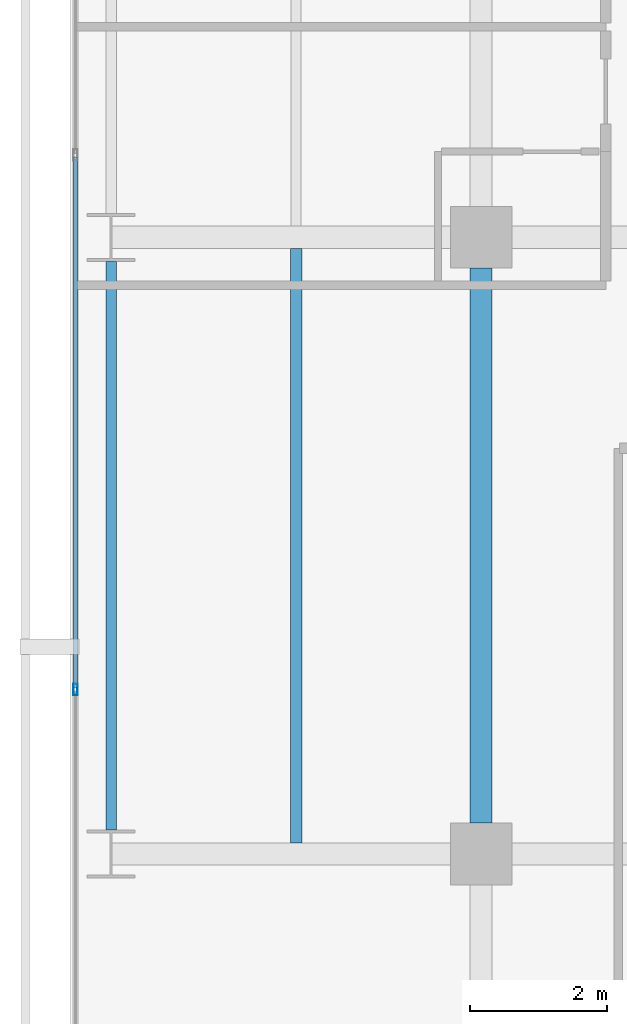
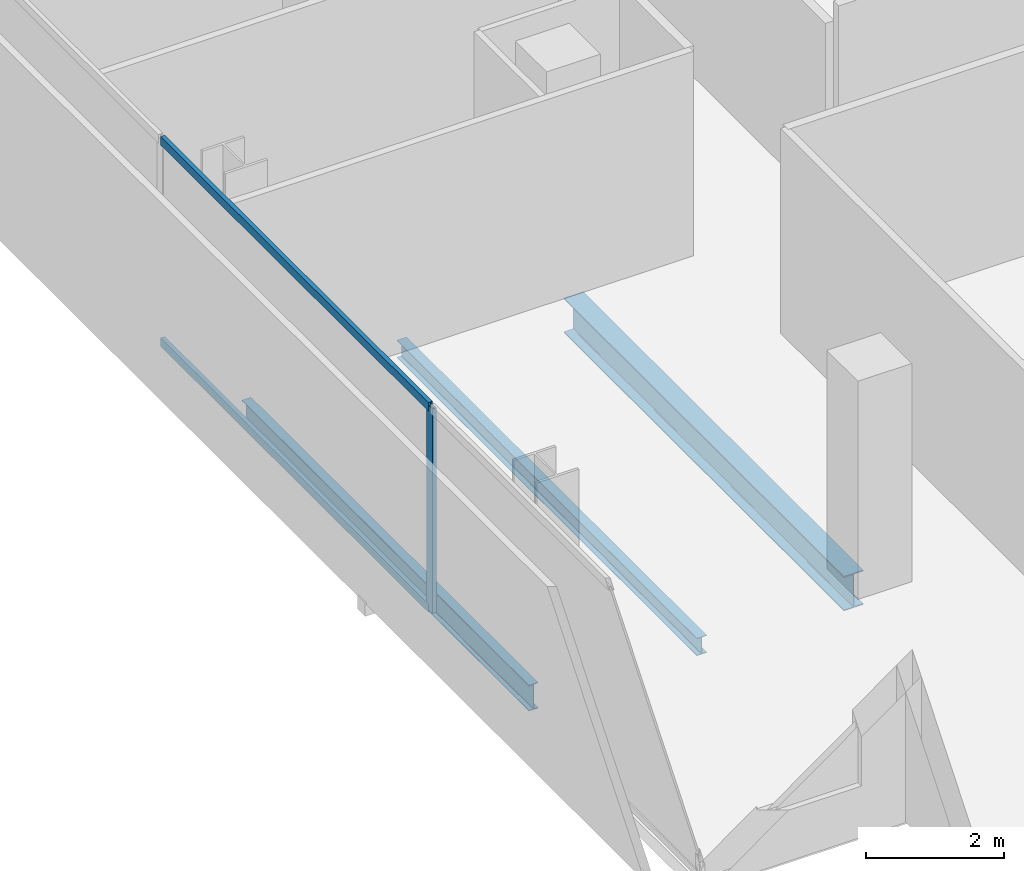
# One storey, part 5 of 40: 3 beams, 3 members, 1 element without a shape of its own.
"""IFC4 building model written with IfcOpenShell, lengths in metres."""

from ifc_helpers import new_model, si_unit, direction, frame, origin, origin_2d, place, context, subcontext, project, spatial, hollow_rectangle, i_section, extrude, material, layer, layer_set, material_profile, profile_set, type_object, element, aggregate, save


model = new_model("IFC4")

# Units and contexts
model_context = context("Model", 3, precision=1e-05, world=origin(), true_north=direction((0.0, 1.0)))
body_context = subcontext(model_context, "Body", "Model", "MODEL_VIEW")
ifc_project = project(units=[si_unit("LENGTHUNIT", "METRE"), si_unit("AREAUNIT", "SQUARE_METRE"), si_unit("VOLUMEUNIT", "CUBIC_METRE"), si_unit("PLANEANGLEUNIT", "RADIAN"), si_unit("MASSUNIT", "GRAM", prefix="KILO")], contexts=[model_context])

# Site, building, storey
site_placement = place(None, origin())
site = spatial("IfcSite", under=ifc_project, at=site_placement, CompositionType="ELEMENT")
building_placement = place(site_placement, origin())
building = spatial("IfcBuilding", under=site, at=building_placement, Name="Maruvema Waterfront Hotel and Observation Tower", CompositionType="ELEMENT")
storey_placement = place(building_placement, frame((0.0, 0.0, 100.10009765625)))
storey = spatial("IfcBuildingStorey", under=building, at=storey_placement, Name="L24", CompositionType="ELEMENT", Elevation=100.10009765625)

# Curtain wall, members
ifc_material_1 = material(Name="Anodised bronze aluminium and solar-control low-E IGU", Category="aluminium")
ifc_layer = layer(ifc_material_1, 0.159912109375, Name="Zone 1 Bronze Inner Thermal Curtain Wall System CW-02")
ifc_layer_set = layer_set([ifc_layer], Name="Anodised bronze aluminium and solar-control low-E IGU")
curtain_wall_type = type_object("IfcCurtainWallType", Name="Zone 1 Bronze Inner Thermal Curtain Wall System CW-02", PredefinedType="USERDEFINED", material=ifc_layer_set)
curtain_wall_placement = place(storey_placement, origin())
curtain_wall = element("IfcCurtainWall", 1, at=curtain_wall_placement, inside=storey, type_object=curtain_wall_type, Name="L24 Curtain Wall CW-L24-W", ObjectType="UNITISED CURTAIN WALL", PredefinedType="USERDEFINED")
ifc_material_2 = material(Name="Anodised architectural bronze aluminium", Category="aluminium")
ifc_material_profile_1 = material_profile(ifc_material_2, hollow_rectangle(XDim=0.070068359375, YDim=0.14990234375, WallThickness=0.00390625, at=origin_2d()), Name="ALU-T70x150")
ifc_profile_set_1 = profile_set([ifc_material_profile_1], Name="Anodised architectural bronze aluminium")
member_type_1 = type_object("IfcMemberType", Name="Curtain Wall Horizontal Transom ALU-T70x150", PredefinedType="USERDEFINED", material=ifc_profile_set_1)
member_1_placement = place(storey_placement, frame((10.8798828125, 19.169921875, 0.02978515625), z_axis=(0.0, -1.0, 0.0), x_axis=(1.0, 0.0, 0.0)))
member_1 = element("IfcMember", 2, at=member_1_placement, type_object=member_type_1, Name="CW-02 transom 5.1", ObjectType="TRANSOM", PredefinedType="USERDEFINED", context=body_context, shape_type="SweptSolid", body=[
    extrude(hollow_rectangle(XDim=0.070068359375, YDim=0.14990234375, WallThickness=0.00390625, at=origin_2d()), origin(), (0.0, 0.0, 1.0), 7.739990234375),
])
member_2_placement = place(storey_placement, frame((10.8798828125, 19.169921875, 3.579833984375), z_axis=(0.0, -1.0, 0.0), x_axis=(1.0, 0.0, 0.0)))
member_2 = element("IfcMember", 3, at=member_2_placement, type_object=member_type_1, Name="CW-02 transom 5.2", ObjectType="TRANSOM", PredefinedType="USERDEFINED", context=body_context, shape_type="SweptSolid", body=[
    extrude(hollow_rectangle(XDim=0.070068359375, YDim=0.14990234375, WallThickness=0.00390625, at=origin_2d()), origin(), (0.0, 0.0, 1.0), 7.739990234375),
])
ifc_material_3 = material(Name="Anodised architectural bronze aluminium", Category="aluminium")
ifc_material_profile_2 = material_profile(ifc_material_3, hollow_rectangle(XDim=0.06494140625, YDim=0.1650390625, WallThickness=0.00390625, at=origin_2d()), Name="ALU-M65x165")
ifc_profile_set_2 = profile_set([ifc_material_profile_2], Name="Anodised architectural bronze aluminium")
member_type_2 = type_object("IfcMemberType", Name="Curtain Wall Primary Mullion ALU-M65x165", PredefinedType="MULLION", material=ifc_profile_set_2)
member_3_placement = place(storey_placement, frame((10.8798828125, 11.39990234375, 0.0), z_axis=(0.0, 0.0, 1.0), x_axis=(1.0, 0.0, 0.0)))
member_3 = element("IfcMember", 4, at=member_3_placement, type_object=member_type_2, Name="CW-02 mullion 6", PredefinedType="MULLION", context=body_context, shape_type="SweptSolid", body=[
    extrude(hollow_rectangle(XDim=0.06494140625, YDim=0.1650390625, WallThickness=0.00390625, at=origin_2d()), origin(), (0.0, 0.0, 1.0), 3.60986328125),
])
aggregate(curtain_wall, [member_3, member_1, member_2])

# Beams
ifc_material_4 = material(Name="Steel ASTM A572 Grade 50", Category="steel")
ifc_material_profile_3 = material_profile(ifc_material_4, i_section(OverallWidth=0.153076171875, OverallDepth=0.455078125, WebThickness=0.008056640625, FlangeThickness=0.01318359375, FilletRadius=0.014892578125, at=origin_2d()), Name="W460x60.0")
ifc_profile_set_3 = profile_set([ifc_material_profile_3], Name="Steel ASTM A572 Grade 50")
beam_type_1 = type_object("IfcBeamType", Name="Perimeter Spandrel Beam W460x60.0", PredefinedType="SPANDREL", material=ifc_profile_set_3)
beam_1_placement = place(storey_placement, frame((11.39990234375, 9.35009765625, -0.467529296875), z_axis=(0.0, 1.0, 0.0), x_axis=(-1.0, 0.0, 0.0)))
element("IfcBeam", 5, at=beam_1_placement, inside=storey, type_object=beam_type_1, Name="L24 Floor Girder NS-01", PredefinedType="SPANDREL", context=body_context, shape_type="SweptSolid", body=[
    extrude(i_section(OverallWidth=0.153076171875, OverallDepth=0.455078125, WebThickness=0.008056640625, FlangeThickness=0.01318359375, FilletRadius=0.014892578125, at=origin_2d()), origin(), (0.0, 0.0, 1.0), 8.2998046875),
])
ifc_material_5 = material(Name="Steel ASTM A572 Grade 50", Category="steel")
ifc_material_profile_4 = material_profile(ifc_material_5, i_section(OverallWidth=0.323974609375, OverallDepth=0.611083984375, WebThickness=0.0126953125, FlangeThickness=0.01904296875, FilletRadius=0.01806640625, at=origin_2d()), Name="W610x155.0")
ifc_profile_set_4 = profile_set([ifc_material_profile_4], Name="Steel ASTM A572 Grade 50")
beam_type_2 = type_object("IfcBeamType", Name="Primary Floor Girder W610x155.0", PredefinedType="BEAM", material=ifc_profile_set_4)
beam_2_placement = place(storey_placement, frame((16.800048828125, 9.449951171875, -0.545654296875), z_axis=(0.0, 1.0, 0.0), x_axis=(-1.0, 0.0, 0.0)))
element("IfcBeam", 6, at=beam_2_placement, inside=storey, type_object=beam_type_2, Name="L24 Floor Girder NS-06", PredefinedType="BEAM", context=body_context, shape_type="SweptSolid", body=[
    extrude(i_section(OverallWidth=0.323974609375, OverallDepth=0.611083984375, WebThickness=0.0126953125, FlangeThickness=0.01904296875, FilletRadius=0.01806640625, at=origin_2d()), origin(), (0.0, 0.0, 1.0), 8.10009765625),
])
ifc_material_6 = material(Name="Steel ASTM A572 Grade 50", Category="steel")
ifc_material_profile_5 = material_profile(ifc_material_6, i_section(OverallWidth=0.1650390625, OverallDepth=0.31005859375, WebThickness=0.005859375, FlangeThickness=0.009765625, FilletRadius=0.012939453125, at=origin_2d()), Name="W310x38.7")
ifc_profile_set_5 = profile_set([ifc_material_profile_5], Name="Steel ASTM A572 Grade 50")
beam_type_3 = type_object("IfcBeamType", Name="Secondary Floor Joist W310x38.7", PredefinedType="JOIST", material=ifc_profile_set_5)
beam_3_placement = place(storey_placement, frame((14.10009765625, 9.162109375, -0.39501953125), z_axis=(0.0, 1.0, 0.0), x_axis=(-1.0, 0.0, 0.0)))
element("IfcBeam", 7, at=beam_3_placement, inside=storey, type_object=beam_type_3, Name="L24 Secondary Floor Joist JS-01", PredefinedType="JOIST", context=body_context, shape_type="SweptSolid", body=[
    extrude(i_section(OverallWidth=0.1650390625, OverallDepth=0.31005859375, WebThickness=0.005859375, FlangeThickness=0.009765625, FilletRadius=0.012939453125, at=origin_2d()), origin(), (0.0, 0.0, 1.0), 8.67578125),
])

save(model, "model.ifc")
